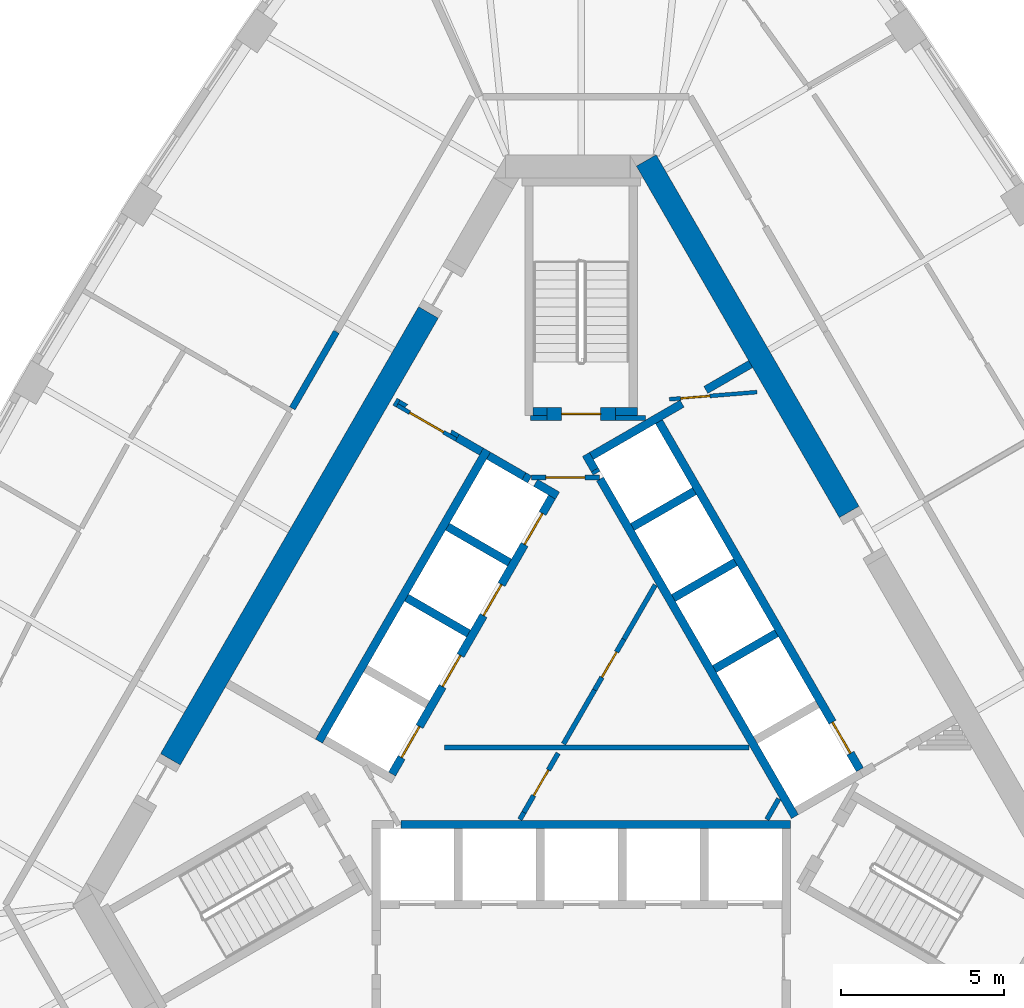
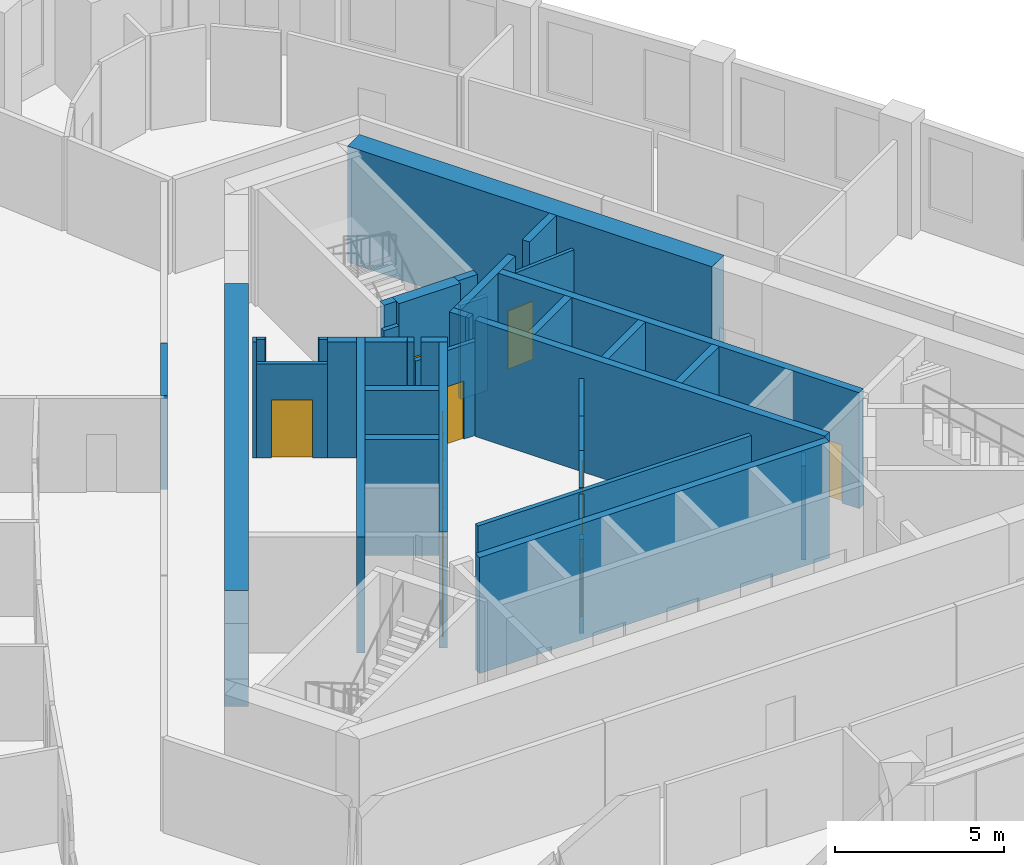
# One storey, part 5 of 11: 39 walls, 11 doors, 11 openings.
"""IFC4 building model written with IfcOpenShell, lengths in metres."""

from ifc_helpers import new_model, si_unit, direction, frame, frame_2d, origin, place, context, subcontext, project, spatial, polyline, rectangle, outline, extrude, material, layer, layer_set, type_object, element, fill, save


model = new_model("IFC4")

# Units and contexts
model_context = context("Model", 3, precision=1e-05, world=origin(), true_north=direction((0.0, 1.0)))
body_context = subcontext(model_context, "Body", "Model", "MODEL_VIEW")
ifc_project = project(units=[si_unit("LENGTHUNIT", "METRE"), si_unit("AREAUNIT", "SQUARE_METRE"), si_unit("VOLUMEUNIT", "CUBIC_METRE"), si_unit("PLANEANGLEUNIT", "RADIAN"), si_unit("MASSUNIT", "GRAM", prefix="KILO")], contexts=[model_context])

# Site, building, storey
site_placement = place(None, origin())
site = spatial("IfcSite", under=ifc_project, at=site_placement, CompositionType="ELEMENT")
building_placement = place(site_placement, origin())
building = spatial("IfcBuilding", under=site, at=building_placement, Name="Mestral Congress Tower", CompositionType="ELEMENT")
storey_placement = place(building_placement, frame((0.0, 0.0, 252.0)))
storey = spatial("IfcBuildingStorey", under=building, at=storey_placement, Name="L59", CompositionType="ELEMENT", Elevation=252.0)

# Walls
ifc_material_1 = material(Name="Fire-rated board partition")
ifc_layer_1 = layer(ifc_material_1, 0.14990234375)
ifc_layer_set_1 = layer_set([ifc_layer_1], Name="Fire-rated board partition")
wall_type_1 = type_object("IfcWallType", Name="Core partition 150", PredefinedType="PARTITIONING", material=ifc_layer_set_1)
wall_1_placement = place(storey_placement, frame((1.050048828125, 8.62548828125, 0.0), z_axis=(0.0, 0.0, 1.0), x_axis=(1.0, 0.0, 0.0)))
element("IfcWall", 1, at=wall_1_placement, inside=storey, type_object=wall_type_1, Name="L59 core wall", PredefinedType="PARTITIONING", context=body_context, shape_type="SweptSolid", body=[
    extrude(rectangle(XDim=0.9287109375, YDim=0.14990234375, at=frame_2d((0.46435546875, 0.0))), origin(), (0.0, 0.0, 1.0), 3.39990234375),
])
wall_2_placement = place(storey_placement, frame((-1.56396484375, 8.62548828125, 0.0), z_axis=(0.0, 0.0, 1.0), x_axis=(1.0, 0.0, 0.0)))
element("IfcWall", 2, at=wall_2_placement, inside=storey, type_object=wall_type_1, Name="L59 core wall", PredefinedType="PARTITIONING", context=body_context, shape_type="SweptSolid", body=[
    extrude(rectangle(XDim=0.513916015625, YDim=0.14990234375, at=frame_2d((0.2568359375, 0.0))), origin(), (0.0, 0.0, 1.0), 3.39990234375),
])
wall_3_placement = place(storey_placement, frame((5.704833984375, -3.718017578125, 0.0), z_axis=(0.0, 0.0, 1.0), x_axis=(0.499962090823, 0.866047289552, 0.0)))
element("IfcWall", 3, at=wall_3_placement, inside=storey, type_object=wall_type_1, Name="L59 core wall", PredefinedType="PARTITIONING", context=body_context, shape_type="SweptSolid", body=[
    extrude(rectangle(XDim=0.73486328125, YDim=0.14990234375, at=frame_2d((0.367431640625, 0.0))), origin(), (0.0, 0.0, 1.0), 3.39990234375),
])
wall_4_placement = place(storey_placement, frame((-4.199951171875, -1.5, 0.0), z_axis=(0.0, 0.0, 1.0), x_axis=(1.0, 0.0, 0.0)))
element("IfcWall", 4, at=wall_4_placement, inside=storey, type_object=wall_type_1, Name="L59 core wall", PredefinedType="PARTITIONING", context=body_context, shape_type="SweptSolid", body=[
    extrude(rectangle(XDim=9.359375, YDim=0.14990234375, at=frame_2d((4.6796875, 0.0))), origin(), (0.0, 0.0, 1.0), 3.39990234375),
])
wall_5_placement = place(storey_placement, frame((-0.54443359375, -1.393310546875, 0.0), z_axis=(0.0, 0.0, 1.0), x_axis=(0.499928740635, 0.866066541489, 0.0)))
element("IfcWall", 5, at=wall_5_placement, inside=storey, type_object=wall_type_1, Name="L59 core wall", PredefinedType="PARTITIONING", context=body_context, shape_type="SweptSolid", body=[
    extrude(rectangle(XDim=1.912353515625, YDim=0.14990234375, at=frame_2d((0.9560546875, 0.0))), origin(), (0.0, 0.0, 1.0), 3.39990234375),
])
wall_6_placement = place(storey_placement, frame((1.311767578125, 1.822021484375, 0.0), z_axis=(0.0, 0.0, 1.0), x_axis=(0.500003549559, 0.866023354436, 0.0)))
element("IfcWall", 6, at=wall_6_placement, inside=storey, type_object=wall_type_1, Name="L59 core wall", PredefinedType="PARTITIONING", context=body_context, shape_type="SweptSolid", body=[
    extrude(rectangle(XDim=1.9296875, YDim=0.14990234375, at=frame_2d((0.96484375, 0.0))), origin(), (0.0, 0.0, 1.0), 3.39990234375),
])
wall_7_placement = place(storey_placement, frame((-1.886962890625, -3.71826171875, 0.0), z_axis=(0.0, 0.0, 1.0), x_axis=(0.500165633897, 0.865929753888, 0.0)))
element("IfcWall", 7, at=wall_7_placement, inside=storey, type_object=wall_type_1, Name="L59 core wall", PredefinedType="PARTITIONING", context=body_context, shape_type="SweptSolid", body=[
    extrude(rectangle(XDim=0.25439453125, YDim=0.14990234375, at=frame_2d((0.127197265625, 0.0))), origin(), (0.0, 0.0, 1.0), 3.39990234375),
])

# Wall, opening, door
wall_8_placement = place(storey_placement, frame((-1.759765625, -3.498046875, 0.0), z_axis=(0.0, 0.0, 1.0), x_axis=(0.499977374825, 0.866038466041, 0.0)))
wall_8 = element("IfcWall", 8, at=wall_8_placement, inside=storey, type_object=wall_type_1, Name="L59 door wall", PredefinedType="PARTITIONING", context=body_context, shape_type="SweptSolid", body=[
    extrude(rectangle(XDim=2.10009765625, YDim=0.14990234375, at=frame_2d((1.050048828125, 0.0))), origin(), (0.0, 0.0, 1.0), 3.39990234375),
])
opening_1_placement = place(wall_8_placement, frame((0.60009765625, 0.0, 0.0)))
opening_1 = element("IfcOpeningElement", 9, at=opening_1_placement, cuts=wall_8, Name="Opening CD1-HUB0", PredefinedType="OPENING", context=body_context, shape_type="SweptSolid", body=[
    extrude(rectangle(XDim=0.89990234375, YDim=2.10009765625, at=frame_2d((0.449951171875, 1.050048828125))), frame((0.0, 0.0849609375, 0.0), z_axis=(0.0, -1.0, 0.0), x_axis=(1.0, 0.0, 0.0)), (0.0, 0.0, 1.0), 0.169921875),
])
ifc_material_2 = material(Name="Fire-rated steel door set", Category="steel")
door_type_1 = type_object("IfcDoorType", Name="Core door CD 900x2100", OperationType="SINGLE_SWING_LEFT", PredefinedType="DOOR", material=ifc_material_2)
door_1_placement = place(opening_1_placement, origin())
door_1 = element("IfcDoor", 10, at=door_1_placement, inside=storey, type_object=door_type_1, Name="Door CD1-HUB0", OperationType="SINGLE_SWING_LEFT", OverallHeight=2.10009765625, OverallWidth=0.89990234375, PredefinedType="DOOR", context=body_context, shape_type="SweptSolid", body=[
    extrude(rectangle(XDim=0.89990234375, YDim=2.10009765625, at=frame_2d((0.449951171875, 1.050048828125))), frame((0.0, 0.02490234375, 0.0), z_axis=(0.0, -1.0, 0.0), x_axis=(1.0, 0.0, 0.0)), (0.0, 0.0, 1.0), 0.050048828125),
])
fill(opening_1, door_1)

wall_9_placement = place(storey_placement, frame((-1.534423828125, 6.800048828125, 0.0), z_axis=(0.0, 0.0, 1.0), x_axis=(1.0, 0.0, 0.0)))
wall_9 = element("IfcWall", 11, at=wall_9_placement, inside=storey, type_object=wall_type_1, Name="L59 door wall", PredefinedType="PARTITIONING", context=body_context, shape_type="SweptSolid", body=[
    extrude(rectangle(XDim=2.099853515625, YDim=0.14990234375, at=frame_2d((1.0498046875, 0.0))), origin(), (0.0, 0.0, 1.0), 3.39990234375),
])
opening_2_placement = place(wall_9_placement, frame((0.449951171875, 0.0, 0.0)))
opening_2 = element("IfcOpeningElement", 12, at=opening_2_placement, cuts=wall_9, Name="Opening CD2-FF", PredefinedType="OPENING", context=body_context, shape_type="SweptSolid", body=[
    extrude(rectangle(XDim=1.199951171875, YDim=2.10009765625, at=frame_2d((0.60009765625, 1.050048828125))), frame((0.0, 0.0849609375, 0.0), z_axis=(0.0, -1.0, 0.0), x_axis=(1.0, 0.0, 0.0)), (0.0, 0.0, 1.0), 0.169921875),
])
door_type_2 = type_object("IfcDoorType", Name="Core door CD 1200x2100", OperationType="SINGLE_SWING_LEFT", PredefinedType="DOOR", material=ifc_material_2)
door_2_placement = place(opening_2_placement, origin())
door_2 = element("IfcDoor", 13, at=door_2_placement, inside=storey, type_object=door_type_2, Name="Door CD2-FF", OperationType="SINGLE_SWING_LEFT", OverallHeight=2.10009765625, OverallWidth=1.199951171875, PredefinedType="DOOR", context=body_context, shape_type="SweptSolid", body=[
    extrude(rectangle(XDim=1.199951171875, YDim=2.10009765625, at=frame_2d((0.60009765625, 1.050048828125))), frame((0.0, 0.02490234375, 0.0), z_axis=(0.0, -1.0, 0.0), x_axis=(1.0, 0.0, 0.0)), (0.0, 0.0, 1.0), 0.050048828125),
])
fill(opening_2, door_2)

wall_10_placement = place(storey_placement, frame((0.41162109375, 0.26318359375, 0.0), z_axis=(0.0, 0.0, 1.0), x_axis=(0.500062916607, 0.865989075817, 0.0)))
wall_10 = element("IfcWall", 14, at=wall_10_placement, inside=storey, type_object=wall_type_1, Name="L59 door wall", PredefinedType="PARTITIONING", context=body_context, shape_type="SweptSolid", body=[
    extrude(rectangle(XDim=1.800048828125, YDim=0.14990234375, at=frame_2d((0.89990234375, 0.0))), origin(), (0.0, 0.0, 1.0), 3.39990234375),
])
opening_3_placement = place(wall_10_placement, frame((0.449951171875, 0.0, 0.0)))
opening_3 = element("IfcOpeningElement", 15, at=opening_3_placement, cuts=wall_10, Name="Opening SD-HUB1", PredefinedType="OPENING", context=body_context, shape_type="SweptSolid", body=[
    extrude(rectangle(XDim=0.89990234375, YDim=2.10009765625, at=frame_2d((0.449951171875, 1.050048828125))), frame((0.0, 0.0849609375, 0.0), z_axis=(0.0, -1.0, 0.0), x_axis=(1.0, 0.0, 0.0)), (0.0, 0.0, 1.0), 0.169921875),
])
door_type_3 = type_object("IfcDoorType", Name="Core door SR 900x2100", OperationType="SINGLE_SWING_LEFT", PredefinedType="DOOR", material=ifc_material_2)
door_3_placement = place(opening_3_placement, origin())
door_3 = element("IfcDoor", 16, at=door_3_placement, inside=storey, type_object=door_type_3, Name="Door SD-HUB1", OperationType="SINGLE_SWING_LEFT", OverallHeight=2.10009765625, OverallWidth=0.89990234375, PredefinedType="DOOR", context=body_context, shape_type="SweptSolid", body=[
    extrude(rectangle(XDim=0.89990234375, YDim=2.10009765625, at=frame_2d((0.449951171875, 1.050048828125))), frame((0.0, 0.02490234375, 0.0), z_axis=(0.0, -1.0, 0.0), x_axis=(1.0, 0.0, 0.0)), (0.0, 0.0, 1.0), 0.050048828125),
])
fill(opening_3, door_3)

ifc_layer_2 = layer(ifc_material_1, 0.1201171875)
ifc_layer_set_2 = layer_set([ifc_layer_2], Name="Fire-rated board partition")
wall_type_2 = type_object("IfcWallType", Name="Core partition 150 door-wall 120", PredefinedType="PARTITIONING", material=ifc_layer_set_2)
wall_11_placement = place(storey_placement, frame((5.3984375, 9.418701171875, 0.0), z_axis=(0.0, 0.0, 1.0), x_axis=(-0.996653416376, -0.081743303248, 0.0)))
wall_11 = element("IfcWall", 17, at=wall_11_placement, inside=storey, type_object=wall_type_2, Name="L59 door wall", PredefinedType="PARTITIONING", context=body_context, shape_type="SweptSolid", body=[
    extrude(rectangle(XDim=2.699951171875, YDim=0.119873046875, at=frame_2d((1.35009765625, 0.0))), origin(), (0.0, 0.0, 1.0), 3.39990234375),
])
opening_4_placement = place(wall_11_placement, frame((1.449951171875, 0.0, 0.0)))
opening_4 = element("IfcOpeningElement", 18, at=opening_4_placement, cuts=wall_11, Name="Opening TD2", PredefinedType="OPENING", context=body_context, shape_type="SweptSolid", body=[
    extrude(rectangle(XDim=0.89990234375, YDim=2.10009765625, at=frame_2d((0.449951171875, 1.050048828125))), frame((0.0, 0.06982421875, 0.0), z_axis=(0.0, -1.0, 0.0), x_axis=(1.0, 0.0, 0.0)), (0.0, 0.0, 1.0), 0.139892578125),
])
door_4_placement = place(opening_4_placement, origin())
door_4 = element("IfcDoor", 19, at=door_4_placement, inside=storey, type_object=door_type_3, Name="Door TD2", OperationType="SINGLE_SWING_LEFT", OverallHeight=2.10009765625, OverallWidth=0.89990234375, PredefinedType="DOOR", context=body_context, shape_type="SweptSolid", body=[
    extrude(rectangle(XDim=0.89990234375, YDim=2.10009765625, at=frame_2d((0.449951171875, 1.050048828125))), frame((0.0, 0.02490234375, 0.0), z_axis=(0.0, -1.0, 0.0), x_axis=(1.0, 0.0, 0.0)), (0.0, 0.0, 1.0), 0.050048828125),
])
fill(opening_4, door_4)

wall_12_placement = place(storey_placement, frame((-5.65869140625, 9.01171875, 0.0), z_axis=(0.0, 0.0, 1.0), x_axis=(0.866009402589, -0.500027713859, 0.0)))
wall_12 = element("IfcWall", 20, at=wall_12_placement, inside=storey, type_object=wall_type_2, Name="L59 door wall", PredefinedType="PARTITIONING", context=body_context, shape_type="SweptSolid", body=[
    extrude(rectangle(XDim=2.10009765625, YDim=0.1201171875, at=frame_2d((1.050048828125, 0.0))), origin(), (0.0, 0.0, 1.0), 3.39990234375),
])
opening_5_placement = place(wall_12_placement, frame((0.449951171875, 0.0, 0.0)))
opening_5 = element("IfcOpeningElement", 21, at=opening_5_placement, cuts=wall_12, Name="Opening LB2-WL2", PredefinedType="OPENING", context=body_context, shape_type="SweptSolid", body=[
    extrude(rectangle(XDim=1.199951171875, YDim=2.10009765625, at=frame_2d((0.60009765625, 1.050048828125))), frame((0.0, 0.070068359375, 0.0), z_axis=(0.0, -1.0, 0.0), x_axis=(1.0, 0.0, 0.0)), (0.0, 0.0, 1.0), 0.14013671875),
])
door_type_4 = type_object("IfcDoorType", Name="Core door LB 1200x2100", OperationType="SINGLE_SWING_LEFT", PredefinedType="DOOR", material=ifc_material_2)
door_5_placement = place(opening_5_placement, origin())
door_5 = element("IfcDoor", 22, at=door_5_placement, inside=storey, type_object=door_type_4, Name="Door LB2-WL2", OperationType="SINGLE_SWING_LEFT", OverallHeight=2.10009765625, OverallWidth=1.199951171875, PredefinedType="DOOR", context=body_context, shape_type="SweptSolid", body=[
    extrude(rectangle(XDim=1.199951171875, YDim=2.10009765625, at=frame_2d((0.60009765625, 1.050048828125))), frame((0.0, 0.02490234375, 0.0), z_axis=(0.0, -1.0, 0.0), x_axis=(1.0, 0.0, 0.0)), (0.0, 0.0, 1.0), 0.050048828125),
])
fill(opening_5, door_5)

# Walls
ifc_material_3 = material(Name="Concrete C60/75", Category="concrete")
ifc_layer_3 = layer(ifc_material_3, 0.699951171875)
ifc_layer_set_3 = layer_set([ifc_layer_3], Name="Concrete C60/75")
wall_type_3 = type_object("IfcWallType", Name="Core wall RC 700", PredefinedType="SOLIDWALL", material=ifc_layer_set_3)
wall_13_placement = place(storey_placement, frame((8.235107421875, 5.736083984375, 0.0), z_axis=(0.0, 0.0, 1.0), x_axis=(-0.499983401189, 0.8660349869, 0.0)))
element("IfcWall", 23, at=wall_13_placement, inside=storey, type_object=wall_type_3, Name="L59 core wall", PredefinedType="SOLIDWALL", context=body_context, shape_type="SweptSolid", body=[
    extrude(rectangle(XDim=12.47216796875, YDim=0.699951171875, at=frame_2d((6.236083984375, 0.0))), origin(), (0.0, 0.0, 1.0), 4.199951171875),
])
wall_14_placement = place(storey_placement, frame((-12.624755859375, -1.866943359375, 0.0), z_axis=(0.0, 0.0, 1.0), x_axis=(0.499996974394, 0.866027150612, 0.0)))
element("IfcWall", 24, at=wall_14_placement, inside=storey, type_object=wall_type_3, Name="L59 core wall", PredefinedType="SOLIDWALL", context=body_context, shape_type="SweptSolid", body=[
    extrude(rectangle(XDim=15.8583984375, YDim=0.699951171875, at=frame_2d((7.92919921875, 0.0))), origin(), (0.0, 0.0, 1.0), 4.199951171875),
])
ifc_material_4 = material(Name="Dense masonry wall, plastered", Category="masonry")
ifc_layer_4 = layer(ifc_material_4, 0.199951171875)
ifc_layer_set_4 = layer_set([ifc_layer_4], Name="Dense masonry wall, plastered")
wall_type_4 = type_object("IfcWallType", Name="Office tenancy wall 200", PredefinedType="PARTITIONING", material=ifc_layer_set_4)
wall_15_placement = place(storey_placement, frame((-7.522216796875, 11.271240234375, 0.0), z_axis=(0.0, 0.0, 1.0), x_axis=(-0.500005085581, -0.866022467603, 0.0)))
element("IfcWall", 25, at=wall_15_placement, inside=storey, type_object=wall_type_4, Name="Tenancy wall", PredefinedType="PARTITIONING", context=body_context, shape_type="SweptSolid", body=[
    extrude(rectangle(XDim=2.716796875, YDim=0.199951171875, at=frame_2d((1.3583984375, 0.0))), origin(), (0.0, 0.0, 1.0), 3.39990234375),
])
ifc_layer_5 = layer(ifc_material_3, 0.25)
ifc_layer_set_5 = layer_set([ifc_layer_5], Name="Concrete C60/75")
wall_type_5 = type_object("IfcWallType", Name="Shaft wall RC 250", PredefinedType="SOLIDWALL", material=ifc_layer_set_5)
wall_16_placement = place(storey_placement, frame((-5.544921875, -3.875, 0.0), z_axis=(0.0, 0.0, 1.0), x_axis=(1.0, 0.0, 0.0)))
element("IfcWall", 26, at=wall_16_placement, inside=storey, type_object=wall_type_5, Name="L59 core wall", PredefinedType="SOLIDWALL", context=body_context, shape_type="SweptSolid", body=[
    extrude(rectangle(XDim=11.969970703125, YDim=0.25, at=frame_2d((5.98486328125, 0.0))), origin(), (0.0, 0.0, 1.0), 4.199951171875),
])
wall_17_placement = place(storey_placement, frame((0.473388671875, 6.93017578125, 0.0), z_axis=(0.0, 0.0, 1.0), x_axis=(-0.49972245349, 0.866185586049, 0.0)))
element("IfcWall", 27, at=wall_17_placement, inside=storey, type_object=wall_type_5, Name="L59 core wall", PredefinedType="SOLIDWALL", context=body_context, shape_type="SweptSolid", body=[
    extrude(rectangle(XDim=0.10986328125, YDim=0.25, at=frame_2d((0.054931640625, 0.0))), origin(), (0.0, 0.0, 1.0), 4.199951171875),
])
wall_18_placement = place(storey_placement, frame((6.568359375, -3.626708984375, 0.0), z_axis=(0.0, 0.0, 1.0), x_axis=(-0.499999455981, 0.866025717874, 0.0)))
element("IfcWall", 28, at=wall_18_placement, inside=storey, type_object=wall_type_5, Name="L59 core wall", PredefinedType="SOLIDWALL", context=body_context, shape_type="SweptSolid", body=[
    extrude(rectangle(XDim=11.97802734375, YDim=0.25, at=frame_2d((5.989013671875, 0.0))), origin(), (0.0, 0.0, 1.0), 4.199951171875),
])
wall_19_placement = place(storey_placement, frame((0.41748046875, 7.027099609375, 0.0), z_axis=(0.0, 0.0, 1.0), x_axis=(-0.500210807569, 0.865903659763, 0.0)))
element("IfcWall", 29, at=wall_19_placement, inside=storey, type_object=wall_type_5, Name="L59 core wall", PredefinedType="SOLIDWALL", context=body_context, shape_type="SweptSolid", body=[
    extrude(rectangle(XDim=0.548095703125, YDim=0.25, at=frame_2d((0.27392578125, 0.0))), origin(), (0.0, 0.0, 1.0), 4.199951171875),
])
wall_20_placement = place(storey_placement, frame((3.10009765625, 9.064453125, 0.0), z_axis=(0.0, 0.0, 1.0), x_axis=(-0.866030133475, -0.499991807846, 0.0)))
element("IfcWall", 30, at=wall_20_placement, inside=storey, type_object=wall_type_5, Name="L59 core wall", PredefinedType="SOLIDWALL", context=body_context, shape_type="SweptSolid", body=[
    extrude(rectangle(XDim=3.216796875, YDim=0.25, at=frame_2d((1.6083984375, 0.0))), origin(), (0.0, 0.0, 1.0), 4.199951171875),
])
wall_21_placement = place(storey_placement, frame((1.57421875, 5.273681640625, 0.0), z_axis=(0.0, 0.0, 1.0), x_axis=(0.866028486751, 0.499994660107, 0.0)))
element("IfcWall", 31, at=wall_21_placement, inside=storey, type_object=wall_type_5, Name="L59 core wall", PredefinedType="SOLIDWALL", context=body_context, shape_type="SweptSolid", body=[
    extrude(rectangle(XDim=2.19970703125, YDim=0.25, at=frame_2d((1.099853515625, 0.0))), origin(), (0.0, 0.0, 1.0), 4.199951171875),
])
for number, where, z_axis, x_axis, name in (
    (32, (2.833984375, 3.091064453125, 0.0), (0.0, 0.0, 1.0), (0.866008176907, 0.50002983664, 0.0), "L59 core wall"),
    (33, (4.093994140625, 0.90869140625, 0.0), (0.0, 0.0, 1.0), (0.866008176907, 0.50002983664, 0.0), "L59 core wall"),
):
    element("IfcWall", number, at=place(storey_placement, frame(where, z_axis=z_axis, x_axis=x_axis)), inside=storey, type_object=wall_type_5, Name=name, PredefinedType="SOLIDWALL", context=body_context, shape_type="SweptSolid", body=[
        extrude(rectangle(XDim=2.199951171875, YDim=0.25, at=frame_2d((1.10009765625, 0.0))), origin(), (0.0, 0.0, 1.0), 4.199951171875),
    ])
wall_22_placement = place(storey_placement, frame((3.82958984375, 9.485595703125, 0.0), z_axis=(0.0, 0.0, 1.0), x_axis=(0.865986202621, 0.500067892261, 0.0)))
element("IfcWall", 34, at=wall_22_placement, inside=storey, type_object=wall_type_5, Name="L59 core wall", PredefinedType="SOLIDWALL", context=body_context, shape_type="SweptSolid", body=[
    extrude(rectangle(XDim=1.590576171875, YDim=0.25, at=frame_2d((0.79541015625, 0.0))), origin(), (0.0, 0.0, 1.0), 4.199951171875),
])
wall_23_placement = place(storey_placement, frame((-8.06005859375, -1.310546875, 0.0), z_axis=(0.0, 0.0, 1.0), x_axis=(0.50000273126, 0.866023826885, 0.0)))
element("IfcWall", 35, at=wall_23_placement, inside=storey, type_object=wall_type_5, Name="L59 core wall", PredefinedType="SOLIDWALL", context=body_context, shape_type="SweptSolid", body=[
    extrude(rectangle(XDim=10.330078125, YDim=0.25, at=frame_2d((5.1650390625, 0.0))), origin(), (0.0, 0.0, 1.0), 4.199951171875),
])
wall_24_placement = place(storey_placement, frame((-1.75830078125, 6.834716796875, 0.0), z_axis=(0.0, 0.0, 1.0), x_axis=(0.865982457891, -0.500074377092, 0.0)))
element("IfcWall", 36, at=wall_24_placement, inside=storey, type_object=wall_type_5, Name="L59 core wall", PredefinedType="SOLIDWALL", context=body_context, shape_type="SweptSolid", body=[
    extrude(rectangle(XDim=0.2001953125, YDim=0.25, at=frame_2d((0.10009765625, 0.0))), origin(), (0.0, 0.0, 1.0), 4.199951171875),
])
wall_25_placement = place(storey_placement, frame((-1.760009765625, 6.835693359375, 0.0), z_axis=(0.0, 0.0, 1.0), x_axis=(-0.865952863304, 0.500125622755, 0.0)))
element("IfcWall", 37, at=wall_25_placement, inside=storey, type_object=wall_type_5, Name="L59 core wall", PredefinedType="SOLIDWALL", context=body_context, shape_type="SweptSolid", body=[
    extrude(rectangle(XDim=1.258056640625, YDim=0.25, at=frame_2d((0.62890625, 0.0))), origin(), (0.0, 0.0, 1.0), 4.199951171875),
])
wall_26_placement = place(storey_placement, frame((-0.7275390625, 6.23974609375, 0.0), z_axis=(0.0, 0.0, 1.0), x_axis=(-0.865955664968, 0.500120771724, 0.0)))
element("IfcWall", 38, at=wall_26_placement, inside=storey, type_object=wall_type_5, Name="L59 core wall", PredefinedType="SOLIDWALL", context=body_context, shape_type="SweptSolid", body=[
    extrude(rectangle(XDim=0.778076171875, YDim=0.25, at=frame_2d((0.38916015625, 0.0))), origin(), (0.0, 0.0, 1.0), 4.199951171875),
])
for number, where, z_axis, x_axis, name in (
    (39, (-2.2041015625, 4.182373046875, 0.0), (0.0, 0.0, 1.0), (-0.866008176907, 0.50002983664, 0.0), "L59 core wall"),
    (40, (-5.369384765625, 3.10009765625, 0.0), (0.0, 0.0, 1.0), (0.866008176907, -0.50002983664, 0.0), "L59 core wall"),
):
    element("IfcWall", number, at=place(storey_placement, frame(where, z_axis=z_axis, x_axis=x_axis)), inside=storey, type_object=wall_type_5, Name=name, PredefinedType="SOLIDWALL", context=body_context, shape_type="SweptSolid", body=[
        extrude(rectangle(XDim=2.199951171875, YDim=0.25, at=frame_2d((1.10009765625, 0.0))), origin(), (0.0, 0.0, 1.0), 4.199951171875),
    ])
wall_27_placement = place(storey_placement, frame((-5.724609375, 9.124755859375, 0.0), z_axis=(0.0, 0.0, 1.0), x_axis=(0.866185586049, -0.49972245349, 0.0)))
element("IfcWall", 41, at=wall_27_placement, inside=storey, type_object=wall_type_5, Name="L59 core wall", PredefinedType="SOLIDWALL", context=body_context, shape_type="SweptSolid", body=[
    extrude(rectangle(XDim=0.10986328125, YDim=0.25, at=frame_2d((0.054931640625, 0.0))), origin(), (0.0, 0.0, 1.0), 4.199951171875),
])
wall_28_placement = place(storey_placement, frame((-3.06591796875, 7.58984375, 0.0), z_axis=(0.0, 0.0, 1.0), x_axis=(-0.866081358704, 0.49990307071, 0.0)))
element("IfcWall", 42, at=wall_28_placement, inside=storey, type_object=wall_type_5, Name="L59 core wall", PredefinedType="SOLIDWALL", context=body_context, shape_type="SweptSolid", body=[
    extrude(rectangle(XDim=0.858154296875, YDim=0.25, at=frame_2d((0.42919921875, 0.0))), origin(), (0.0, 0.0, 1.0), 4.199951171875),
])
placement = place(storey_placement, origin())
element("IfcWall", 43, at=placement, inside=storey, type_object=wall_type_5, Name="L59 core wall", PredefinedType="SOLIDWALL", context=body_context, shape_type="SweptSolid", body=[
    extrude(outline(polyline([(-3.748291015625, 8.1279296875), (-3.813232421875, 8.015380859375), (-4.026611328125, 8.138671875), (-4.0166015625, 8.156005859375), (-4.007568359375, 8.17333984375), (-4.000244140625, 8.191650390625), (-3.994873046875, 8.21044921875), (-3.991455078125, 8.229736328125), (-3.98974609375, 8.24951171875), (-3.989990234375, 8.267578125), (-3.748291015625, 8.1279296875)])), origin(), (0.0, 0.0, 1.0), 4.199951171875),
])
element("IfcWall", 44, at=placement, inside=storey, type_object=wall_type_5, Name="L59 core wall", PredefinedType="SOLIDWALL", context=body_context, shape_type="SweptSolid", body=[
    extrude(outline(polyline([(-5.688720703125, 8.959716796875), (-5.690185546875, 8.960693359375), (-5.565185546875, 9.177001953125), (-5.318603515625, 9.03466796875), (-5.334716796875, 9.02587890625), (-5.3505859375, 9.0146484375), (-5.36572265625, 9.001953125), (-5.37939453125, 8.98779296875), (-5.3916015625, 8.972412109375), (-5.402099609375, 8.955810546875), (-5.412109375, 8.938720703125), (-5.628662109375, 9.063720703125), (-5.628662109375, 9.063720703125), (-5.688720703125, 8.959716796875)])), origin(), (0.0, 0.0, 1.0), 4.199951171875),
])

# Wall, opening, door
wall_31_placement = place(storey_placement, frame((8.565185546875, -2.185302734375, 0.0), z_axis=(0.0, 0.0, 1.0), x_axis=(-0.499997954832, 0.866026584559, 0.0)))
wall_31 = element("IfcWall", 45, at=wall_31_placement, inside=storey, type_object=wall_type_5, Name="L59 door wall", PredefinedType="SOLIDWALL", context=body_context, shape_type="SweptSolid", body=[
    extrude(rectangle(XDim=12.35009765625, YDim=0.25, at=frame_2d((6.175048828125, 0.0))), origin(), (0.0, 0.0, 1.0), 4.199951171875),
])
opening_6_placement = place(wall_31_placement, frame((0.5849609375, 0.0, 0.0)))
opening_6 = element("IfcOpeningElement", 46, at=opening_6_placement, cuts=wall_31, Name="Opening LD-NEB1", PredefinedType="OPENING", context=body_context, shape_type="SweptSolid", body=[
    extrude(rectangle(XDim=1.10009765625, YDim=2.10009765625, at=frame_2d((0.550048828125, 1.050048828125))), frame((0.0, 0.135009765625, 0.0), z_axis=(0.0, -1.0, 0.0), x_axis=(1.0, 0.0, 0.0)), (0.0, 0.0, 1.0), 0.27001953125),
])
door_type_5 = type_object("IfcDoorType", Name="Core door LD 1100x2100", OperationType="DOUBLE_DOOR_SLIDING", PredefinedType="DOOR", material=ifc_material_2)
door_6_placement = place(opening_6_placement, origin())
door_6 = element("IfcDoor", 47, at=door_6_placement, inside=storey, type_object=door_type_5, Name="Door LD-NEB1", OperationType="DOUBLE_DOOR_SLIDING", OverallHeight=2.10009765625, OverallWidth=1.10009765625, PredefinedType="DOOR", context=body_context, shape_type="SweptSolid", body=[
    extrude(rectangle(XDim=1.10009765625, YDim=2.10009765625, at=frame_2d((0.550048828125, 1.050048828125))), frame((0.0, 0.02490234375, 0.0), z_axis=(0.0, -1.0, 0.0), x_axis=(1.0, 0.0, 0.0)), (0.0, 0.0, 1.0), 0.050048828125),
])
fill(opening_6, door_6)

# Wall, openings, doors
wall_32_placement = place(storey_placement, frame((-0.898193359375, 6.194091796875, 0.0), z_axis=(0.0, 0.0, 1.0), x_axis=(-0.499996202215, -0.866027596426, 0.0)))
wall_32 = element("IfcWall", 48, at=wall_32_placement, inside=storey, type_object=wall_type_5, Name="L59 door wall", PredefinedType="SOLIDWALL", context=body_context, shape_type="SweptSolid", body=[
    extrude(rectangle(XDim=9.830078125, YDim=0.25, at=frame_2d((4.9150390625, 0.0))), origin(), (0.0, 0.0, 1.0), 4.199951171875),
])
opening_7_placement = place(wall_32_placement, frame((0.5849609375, 0.0, 0.0)))
opening_7 = element("IfcOpeningElement", 49, at=opening_7_placement, cuts=wall_32, Name="Opening LD-NWB1", PredefinedType="OPENING", context=body_context, shape_type="SweptSolid", body=[
    extrude(rectangle(XDim=1.10009765625, YDim=2.10009765625, at=frame_2d((0.550048828125, 1.050048828125))), frame((0.0, 0.135009765625, 0.0), z_axis=(0.0, -1.0, 0.0), x_axis=(1.0, 0.0, 0.0)), (0.0, 0.0, 1.0), 0.27001953125),
])
opening_8_placement = place(wall_32_placement, frame((3.10498046875, 0.0, 0.0)))
opening_8 = element("IfcOpeningElement", 50, at=opening_8_placement, cuts=wall_32, Name="Opening LD-NWB2", PredefinedType="OPENING", context=body_context, shape_type="SweptSolid", body=[
    extrude(rectangle(XDim=1.10009765625, YDim=2.10009765625, at=frame_2d((0.550048828125, 1.050048828125))), frame((0.0, 0.135009765625, 0.0), z_axis=(0.0, -1.0, 0.0), x_axis=(1.0, 0.0, 0.0)), (0.0, 0.0, 1.0), 0.27001953125),
])
opening_9_placement = place(wall_32_placement, frame((5.625, 0.0, 0.0)))
opening_9 = element("IfcOpeningElement", 51, at=opening_9_placement, cuts=wall_32, Name="Opening LD-NWB3", PredefinedType="OPENING", context=body_context, shape_type="SweptSolid", body=[
    extrude(rectangle(XDim=1.10009765625, YDim=2.10009765625, at=frame_2d((0.550048828125, 1.050048828125))), frame((0.0, 0.135009765625, 0.0), z_axis=(0.0, -1.0, 0.0), x_axis=(1.0, 0.0, 0.0)), (0.0, 0.0, 1.0), 0.27001953125),
])
opening_10_placement = place(wall_32_placement, frame((8.14501953125, 0.0, 0.0)))
opening_10 = element("IfcOpeningElement", 52, at=opening_10_placement, cuts=wall_32, Name="Opening LD-NWB4", PredefinedType="OPENING", context=body_context, shape_type="SweptSolid", body=[
    extrude(rectangle(XDim=1.10009765625, YDim=2.10009765625, at=frame_2d((0.550048828125, 1.050048828125))), frame((0.0, 0.135009765625, 0.0), z_axis=(0.0, -1.0, 0.0), x_axis=(1.0, 0.0, 0.0)), (0.0, 0.0, 1.0), 0.27001953125),
])
door_7_placement = place(opening_7_placement, origin())
door_7 = element("IfcDoor", 53, at=door_7_placement, inside=storey, type_object=door_type_5, Name="Door LD-NWB1", OperationType="DOUBLE_DOOR_SLIDING", OverallHeight=2.10009765625, OverallWidth=1.10009765625, PredefinedType="DOOR", context=body_context, shape_type="SweptSolid", body=[
    extrude(rectangle(XDim=1.10009765625, YDim=2.10009765625, at=frame_2d((0.550048828125, 1.050048828125))), frame((0.0, 0.02490234375, 0.0), z_axis=(0.0, -1.0, 0.0), x_axis=(1.0, 0.0, 0.0)), (0.0, 0.0, 1.0), 0.050048828125),
])
fill(opening_7, door_7)
door_8_placement = place(opening_8_placement, origin())
door_8 = element("IfcDoor", 54, at=door_8_placement, inside=storey, type_object=door_type_5, Name="Door LD-NWB2", OperationType="DOUBLE_DOOR_SLIDING", OverallHeight=2.10009765625, OverallWidth=1.10009765625, PredefinedType="DOOR", context=body_context, shape_type="SweptSolid", body=[
    extrude(rectangle(XDim=1.10009765625, YDim=2.10009765625, at=frame_2d((0.550048828125, 1.050048828125))), frame((0.0, 0.02490234375, 0.0), z_axis=(0.0, -1.0, 0.0), x_axis=(1.0, 0.0, 0.0)), (0.0, 0.0, 1.0), 0.050048828125),
])
fill(opening_8, door_8)
door_9_placement = place(opening_9_placement, origin())
door_9 = element("IfcDoor", 55, at=door_9_placement, inside=storey, type_object=door_type_5, Name="Door LD-NWB3", OperationType="DOUBLE_DOOR_SLIDING", OverallHeight=2.10009765625, OverallWidth=1.10009765625, PredefinedType="DOOR", context=body_context, shape_type="SweptSolid", body=[
    extrude(rectangle(XDim=1.10009765625, YDim=2.10009765625, at=frame_2d((0.550048828125, 1.050048828125))), frame((0.0, 0.02490234375, 0.0), z_axis=(0.0, -1.0, 0.0), x_axis=(1.0, 0.0, 0.0)), (0.0, 0.0, 1.0), 0.050048828125),
])
fill(opening_9, door_9)
door_10_placement = place(opening_10_placement, origin())
door_10 = element("IfcDoor", 56, at=door_10_placement, inside=storey, type_object=door_type_5, Name="Door LD-NWB4", OperationType="DOUBLE_DOOR_SLIDING", OverallHeight=2.10009765625, OverallWidth=1.10009765625, PredefinedType="DOOR", context=body_context, shape_type="SweptSolid", body=[
    extrude(rectangle(XDim=1.10009765625, YDim=2.10009765625, at=frame_2d((0.550048828125, 1.050048828125))), frame((0.0, 0.02490234375, 0.0), z_axis=(0.0, -1.0, 0.0), x_axis=(1.0, 0.0, 0.0)), (0.0, 0.0, 1.0), 0.050048828125),
])
fill(opening_10, door_10)

# Walls
ifc_layer_6 = layer(ifc_material_3, 0.25)
ifc_layer_set_6 = layer_set([ifc_layer_6], Name="Concrete C60/75")
wall_type_6 = type_object("IfcWallType", Name="Stair wall RC 250", PredefinedType="SOLIDWALL", material=ifc_layer_set_6)
wall_33_placement = place(storey_placement, frame((1.050048828125, 8.824951171875, 0.0), z_axis=(0.0, 0.0, 1.0), x_axis=(1.0, 0.0, 0.0)))
element("IfcWall", 57, at=wall_33_placement, inside=storey, type_object=wall_type_6, Name="L59 core wall", PredefinedType="SOLIDWALL", context=body_context, shape_type="SweptSolid", body=[
    extrude(rectangle(XDim=0.675048828125, YDim=0.25, at=frame_2d((0.33740234375, 0.0))), origin(), (0.0, 0.0, 1.0), 4.199951171875),
])
wall_34_placement = place(storey_placement, frame((-1.47509765625, 8.824951171875, 0.0), z_axis=(0.0, 0.0, 1.0), x_axis=(1.0, 0.0, 0.0)))
element("IfcWall", 58, at=wall_34_placement, inside=storey, type_object=wall_type_6, Name="L59 core wall", PredefinedType="SOLIDWALL", context=body_context, shape_type="SweptSolid", body=[
    extrude(rectangle(XDim=0.425048828125, YDim=0.25, at=frame_2d((0.21240234375, 0.0))), origin(), (0.0, 0.0, 1.0), 4.199951171875),
])

# Wall, opening, door
ifc_layer_7 = layer(ifc_material_3, 0.39990234375)
ifc_layer_set_7 = layer_set([ifc_layer_7], Name="Concrete C60/75")
wall_type_7 = type_object("IfcWallType", Name="Stair wall RC 250 door-wall 400", PredefinedType="SOLIDWALL", material=ifc_layer_set_7)
wall_35_placement = place(storey_placement, frame((1.050048828125, 8.75, 0.0), z_axis=(0.0, 0.0, 1.0), x_axis=(-1.0, 0.0, 0.0)))
wall_35 = element("IfcWall", 59, at=wall_35_placement, inside=storey, type_object=wall_type_7, Name="L59 door wall", PredefinedType="SOLIDWALL", context=body_context, shape_type="SweptSolid", body=[
    extrude(rectangle(XDim=2.10009765625, YDim=0.39990234375, at=frame_2d((1.050048828125, 0.0))), origin(), (0.0, 0.0, 1.0), 4.199951171875),
])
opening_11_placement = place(wall_35_placement, frame((0.449951171875, 0.0, 0.0)))
opening_11 = element("IfcOpeningElement", 60, at=opening_11_placement, cuts=wall_35, Name="Opening ST-D2", PredefinedType="OPENING", context=body_context, shape_type="SweptSolid", body=[
    extrude(rectangle(XDim=1.199951171875, YDim=2.10009765625, at=frame_2d((0.60009765625, 1.050048828125))), frame((0.0, 0.2099609375, 0.0), z_axis=(0.0, -1.0, 0.0), x_axis=(1.0, 0.0, 0.0)), (0.0, 0.0, 1.0), 0.419921875),
])
door_type_6 = type_object("IfcDoorType", Name="Core door ST 1200x2100", OperationType="SINGLE_SWING_LEFT", PredefinedType="DOOR", material=ifc_material_2)
door_11_placement = place(opening_11_placement, origin())
door_11 = element("IfcDoor", 61, at=door_11_placement, inside=storey, type_object=door_type_6, Name="Door ST-D2", OperationType="SINGLE_SWING_LEFT", OverallHeight=2.10009765625, OverallWidth=1.199951171875, PredefinedType="DOOR", context=body_context, shape_type="SweptSolid", body=[
    extrude(rectangle(XDim=1.199951171875, YDim=2.10009765625, at=frame_2d((0.60009765625, 1.050048828125))), frame((0.0, 0.02490234375, 0.0), z_axis=(0.0, -1.0, 0.0), x_axis=(1.0, 0.0, 0.0)), (0.0, 0.0, 1.0), 0.050048828125),
])
fill(opening_11, door_11)

save(model, "model.ifc")
